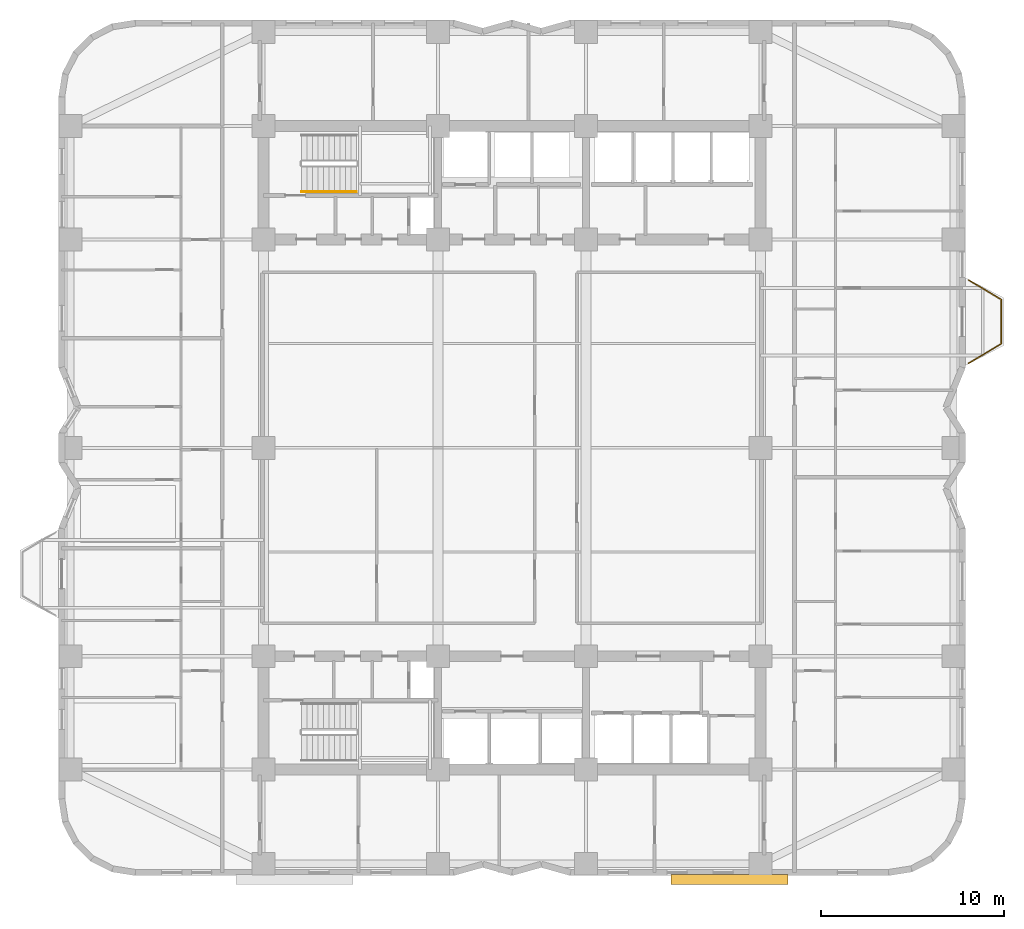
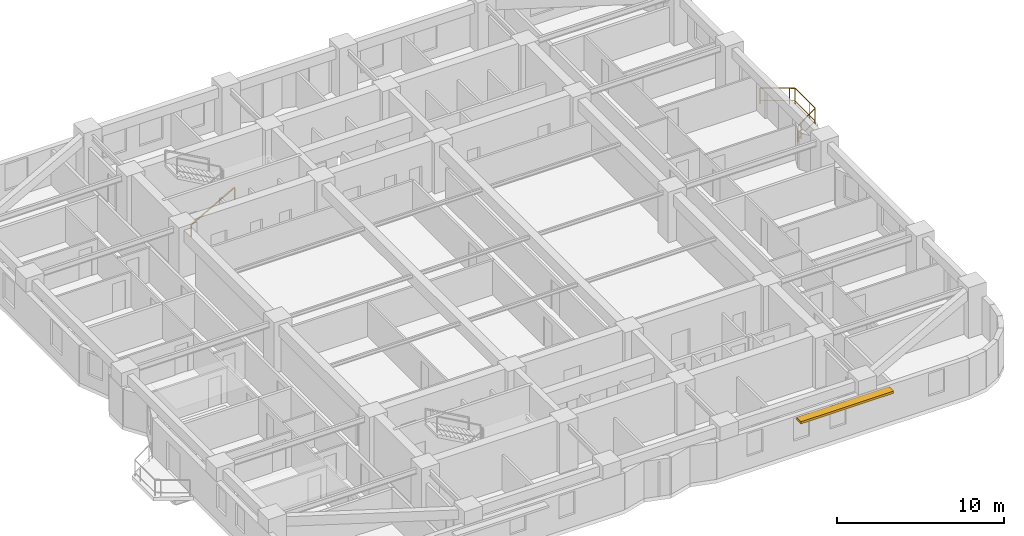
# One storey, part 10 of 11: 2 railings, 1 shading device.
"""IFC4 building model written with IfcOpenShell, lengths in metres."""

from ifc_helpers import new_model, si_unit, direction, frame, origin, origin_2d, place, context, subcontext, project, spatial, rectangle, extrude, material, layer, layer_set, type_object, element, save


model = new_model("IFC4")

# Units and contexts
model_context = context("Model", 3, precision=1e-05, world=origin(), true_north=direction((0.0, 1.0)))
body_context = subcontext(model_context, "Body", "Model", "MODEL_VIEW")
ifc_project = project(units=[si_unit("LENGTHUNIT", "METRE"), si_unit("AREAUNIT", "SQUARE_METRE"), si_unit("VOLUMEUNIT", "CUBIC_METRE"), si_unit("PLANEANGLEUNIT", "RADIAN"), si_unit("MASSUNIT", "GRAM", prefix="KILO")], contexts=[model_context])

# Site, building, storey
site_placement = place(None, origin())
site = spatial("IfcSite", under=ifc_project, at=site_placement, CompositionType="ELEMENT")
building_placement = place(site_placement, origin())
building = spatial("IfcBuilding", under=site, at=building_placement, Name="Svetorya Sky Lyceum", CompositionType="ELEMENT")
storey_placement = place(building_placement, frame((0.0, 0.0, 36.199951171875)))
storey = spatial("IfcBuildingStorey", under=building, at=storey_placement, Name="L08", CompositionType="ELEMENT", Elevation=36.199951171875)

# Railings
ifc_material_1 = material(Name="Laminated safety glass and stainless AISI 316", Category="glass")
railing_type_1 = type_object("IfcRailingType", Name="RL-BAL-1200", PredefinedType="BALUSTRADE", material=ifc_material_1)
railing_1_placement = place(storey_placement, frame((64.169921875, 37.3798828125, 0.0)))
element("IfcRailing", 1, at=railing_1_placement, inside=storey, type_object=railing_type_1, Name="L08 Balcony Balustrade BAL-E1", PredefinedType="BALUSTRADE", context=body_context, shape_type="SweptSolid", body=[
    extrude(rectangle(XDim=0.048095703125, YDim=0.048095703125, at=origin_2d()), frame((0.0, 0.0, 1.17578125), z_axis=(0.85753397263, -0.514427337711, 0.0), x_axis=(0.514427337711, 0.85753397263, 0.0)), (0.0, 0.0, 1.0), 2.09912109375),
    extrude(rectangle(XDim=0.02392578125, YDim=0.02392578125, at=origin_2d()), frame((0.0, 0.0, 0.25), z_axis=(0.85753397263, -0.514427337711, 0.0), x_axis=(0.514427337711, 0.85753397263, 0.0)), (0.0, 0.0, 1.0), 2.09912109375),
    extrude(rectangle(XDim=0.048095703125, YDim=0.048095703125, at=origin_2d()), frame((1.800048828125, -1.079833984375, 1.17578125), z_axis=(0.0, -1.0, 0.0), x_axis=(1.0, 0.0, 0.0)), (0.0, 0.0, 1.0), 2.400146484375),
    extrude(rectangle(XDim=0.02392578125, YDim=0.02392578125, at=origin_2d()), frame((1.800048828125, -1.079833984375, 0.25), z_axis=(0.0, -1.0, 0.0), x_axis=(1.0, 0.0, 0.0)), (0.0, 0.0, 1.0), 2.400146484375),
    extrude(rectangle(XDim=0.048095703125, YDim=0.048095703125, at=origin_2d()), frame((1.800048828125, -3.47998046875, 1.17578125), z_axis=(-0.85753397263, -0.514427337711, 0.0), x_axis=(0.514427337711, -0.85753397263, 0.0)), (0.0, 0.0, 1.0), 2.09912109375),
    extrude(rectangle(XDim=0.02392578125, YDim=0.02392578125, at=origin_2d()), frame((1.800048828125, -3.47998046875, 0.25), z_axis=(-0.85753397263, -0.514427337711, 0.0), x_axis=(0.514427337711, -0.85753397263, 0.0)), (0.0, 0.0, 1.0), 2.09912109375),
    extrude(rectangle(XDim=0.0419921875, YDim=0.0419921875, at=origin_2d()), origin(), (0.0, 0.0, 1.0), 1.15185546875),
    extrude(rectangle(XDim=0.0419921875, YDim=0.0419921875, at=origin_2d()), frame((1.500732421875, -0.900146484375, 0.0)), (0.0, 0.0, 1.0), 1.15185546875),
    extrude(rectangle(XDim=0.0419921875, YDim=0.0419921875, at=origin_2d()), frame((1.800048828125, -1.079833984375, 0.0)), (0.0, 0.0, 1.0), 1.15185546875),
    extrude(rectangle(XDim=0.0419921875, YDim=0.0419921875, at=origin_2d()), frame((1.800048828125, -2.829833984375, 0.0)), (0.0, 0.0, 1.0), 1.15185546875),
    extrude(rectangle(XDim=0.0419921875, YDim=0.0419921875, at=origin_2d()), frame((1.800048828125, -3.47998046875, 0.0)), (0.0, 0.0, 1.0), 1.15185546875),
    extrude(rectangle(XDim=0.0419921875, YDim=0.0419921875, at=origin_2d()), frame((0.29931640625, -4.380126953125, 0.0)), (0.0, 0.0, 1.0), 1.15185546875),
    extrude(rectangle(XDim=0.0419921875, YDim=0.0419921875, at=origin_2d()), frame((0.0, -4.559814453125, 0.0)), (0.0, 0.0, 1.0), 1.15185546875),
])
ifc_material_2 = material(Name="Brushed stainless AISI 304 stair handrail")
railing_type_2 = type_object("IfcRailingType", Name="RL-STR-HAND-920", PredefinedType="HANDRAIL", material=ifc_material_2)
railing_2_placement = place(storey_placement, frame((27.699951171875, 42.199951171875, 0.168212890625)))
element("IfcRailing", 2, at=railing_2_placement, inside=storey, type_object=railing_type_2, Name="L08 ST-N stair handrail 1", PredefinedType="HANDRAIL", context=body_context, shape_type="SweptSolid", body=[
    extrude(rectangle(XDim=0.048095703125, YDim=0.048095703125, at=origin_2d()), frame((0.0, 0.0, 0.8759765625), z_axis=(0.872272294576, 0.0, 0.489020494575), x_axis=(0.0, 1.0, 0.0)), (0.0, 0.0, 1.0), 3.439208984375),
    extrude(rectangle(XDim=0.0419921875, YDim=0.0419921875, at=origin_2d()), origin(), (0.0, 0.0, 1.0), 0.851806640625),
    extrude(rectangle(XDim=0.0419921875, YDim=0.0419921875, at=origin_2d()), frame((3.0, 0.0, 1.681884765625)), (0.0, 0.0, 1.0), 0.851806640625),
])

# Shading device
ifc_material_3 = material(Name="Champagne-anodized extruded aluminium sunshade", Category="aluminium")
ifc_layer = layer(ifc_material_3, 0.159912109375)
ifc_layer_set = layer_set([ifc_layer], Name="Champagne-anodized extruded aluminium sunshade")
shading_device_type = type_object("IfcShadingDeviceType", Name="SHD-LVR-540", PredefinedType="AWNING", material=ifc_layer_set)
shading_device_placement = place(storey_placement, frame((51.10009765625, 4.580078125, 2.39990234375), z_axis=(0.0, 0.0, 1.0), x_axis=(1.0, 0.0, 0.0)))
element("IfcShadingDevice", 3, at=shading_device_placement, inside=storey, type_object=shading_device_type, Name="L08 Solar Brise-Soleil SHD-1.11M", PredefinedType="AWNING", context=body_context, shape_type="SweptSolid", body=[
    extrude(rectangle(XDim=6.39990234375, YDim=0.5400390625, at=origin_2d()), origin(), (0.0, 0.0, 1.0), 0.159912109375),
])

save(model, "model.ifc")
